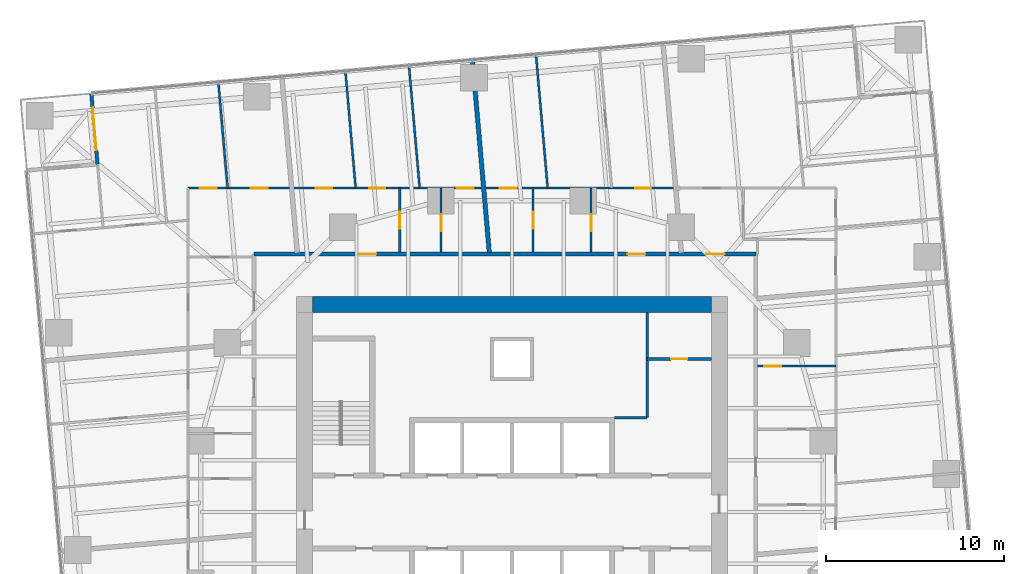
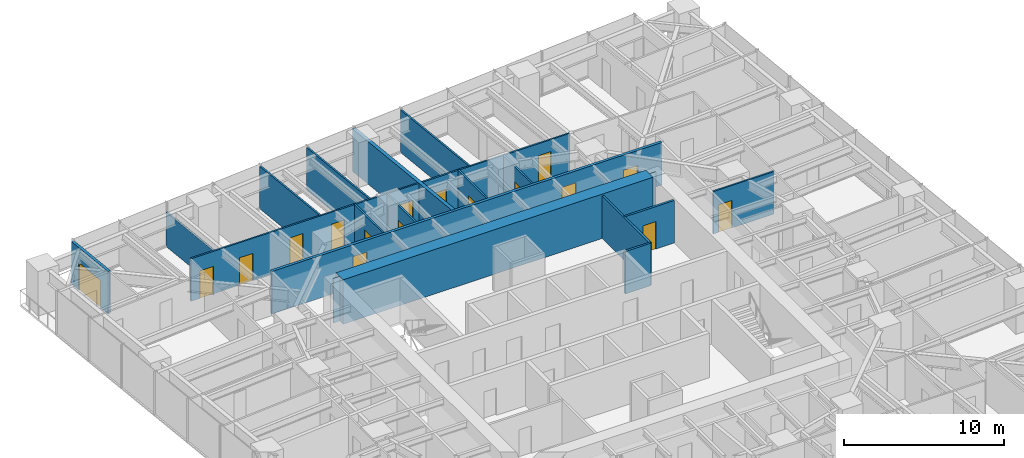
# One storey, part 12 of 14: 17 doors, 17 walls, 17 openings.
"""IFC4 building model written with IfcOpenShell, lengths in metres."""

from ifc_helpers import new_model, si_unit, direction, frame, frame_2d, origin, place, context, subcontext, project, spatial, polyline, rectangle, outline, extrude, material, layer, layer_set, type_object, element, fill, save


model = new_model("IFC4")

# Units and contexts
model_context = context("Model", 3, precision=1e-05, world=origin(), true_north=direction((0.0, 1.0)))
body_context = subcontext(model_context, "Body", "Model", "MODEL_VIEW")
ifc_project = project(units=[si_unit("LENGTHUNIT", "METRE"), si_unit("AREAUNIT", "SQUARE_METRE"), si_unit("VOLUMEUNIT", "CUBIC_METRE"), si_unit("PLANEANGLEUNIT", "RADIAN"), si_unit("MASSUNIT", "GRAM", prefix="KILO")], contexts=[model_context])

# Site, building, storey
site_placement = place(None, origin())
site = spatial("IfcSite", under=ifc_project, at=site_placement, CompositionType="ELEMENT")
building_placement = place(site_placement, origin())
building = spatial("IfcBuilding", under=site, at=building_placement, Name="Torsade Residences", CompositionType="ELEMENT")
storey_placement = place(building_placement, frame((0.0, 0.0, 67.60009765625)))
storey = spatial("IfcBuildingStorey", under=building, at=storey_placement, Name="L18", CompositionType="ELEMENT", Elevation=67.60009765625)

# Wall
ifc_material_1 = material(Name="Concrete 80 MPa", Category="concrete")
ifc_layer_1 = layer(ifc_material_1, 0.89990234375)
ifc_layer_set_1 = layer_set([ifc_layer_1], Name="Concrete 80 MPa")
wall_type_1 = type_object("IfcWallType", Name="CORE WALL 900", PredefinedType="SHEAR", material=ifc_layer_set_1)
wall_1_placement = place(storey_placement, frame((28.800048828125, 41.64990234375, 0.0), z_axis=(0.0, 0.0, 1.0), x_axis=(1.0, 0.0, 0.0)))
element("IfcWall", 1, at=wall_1_placement, inside=storey, type_object=wall_type_1, Name="Core wall N L18", PredefinedType="SHEAR", context=body_context, shape_type="SweptSolid", body=[
    extrude(outline(polyline([(0.0, -0.449951171875), (22.39990234375, -0.449951171875), (22.39990234375, -0.02490234375), (22.849853515625, -0.02490234375), (22.849853515625, 0.02490234375), (22.39990234375, 0.02490234375), (22.39990234375, 0.449951171875), (0.0, 0.449951171875), (0.0, 0.02490234375), (-0.449951171875, 0.02490234375), (-0.449951171875, -0.02490234375), (0.0, -0.02490234375), (0.0, -0.449951171875)])), origin(), (0.0, 0.0, 1.0), 3.39990234375),
])

# Wall, openings, doors
ifc_material_2 = material(Name="Plasterboard on steel stud", Category="steel")
ifc_layer_2 = layer(ifc_material_2, 0.199951171875)
ifc_layer_set_2 = layer_set([ifc_layer_2], Name="Plasterboard on steel stud")
wall_type_2 = type_object("IfcWallType", Name="CORRIDOR WALL 200", PredefinedType="PARTITIONING", material=ifc_layer_set_2)
wall_2_placement = place(storey_placement, frame((53.699951171875, 44.5, 0.0), z_axis=(0.0, 0.0, 1.0), x_axis=(-1.0, 0.0, 0.0)))
wall_2 = element("IfcWall", 2, at=wall_2_placement, inside=storey, type_object=wall_type_2, Name="Corridor wall L18", PredefinedType="PARTITIONING", context=body_context, shape_type="SweptSolid", body=[
    extrude(rectangle(XDim=28.199951171875, YDim=0.199951171875, at=frame_2d((14.10009765625, 0.0))), origin(), (0.0, 0.0, 1.0), 3.25),
])
opening_1_placement = place(wall_2_placement, frame((21.32080078125, 0.0, 0.0)))
opening_1 = element("IfcOpeningElement", 3, at=opening_1_placement, cuts=wall_2, Name="Opening D01", PredefinedType="OPENING", context=body_context, shape_type="SweptSolid", body=[
    extrude(rectangle(XDim=1.02001953125, YDim=2.340087890625, at=frame_2d((0.510009765625, 1.169921875))), frame((0.0, 0.10986328125, 0.0), z_axis=(0.0, -1.0, 0.0), x_axis=(1.0, 0.0, 0.0)), (0.0, 0.0, 1.0), 0.219970703125),
])
opening_2_placement = place(wall_2_placement, frame((6.201416015625, 0.0, 0.0)))
opening_2 = element("IfcOpeningElement", 4, at=opening_2_placement, cuts=wall_2, Name="Opening D01", PredefinedType="OPENING", context=body_context, shape_type="SweptSolid", body=[
    extrude(rectangle(XDim=1.02001953125, YDim=2.340087890625, at=frame_2d((0.510009765625, 1.169921875))), frame((0.0, 0.10986328125, 0.0), z_axis=(0.0, -1.0, 0.0), x_axis=(1.0, 0.0, 0.0)), (0.0, 0.0, 1.0), 0.219970703125),
])
opening_3_placement = place(wall_2_placement, frame((1.75, 0.0, 0.0)))
opening_3 = element("IfcOpeningElement", 5, at=opening_3_placement, cuts=wall_2, Name="Opening D01L", PredefinedType="OPENING", context=body_context, shape_type="SweptSolid", body=[
    extrude(rectangle(XDim=1.02001953125, YDim=2.10009765625, at=frame_2d((0.510009765625, 1.050048828125))), frame((0.0, 0.10986328125, 0.0), z_axis=(0.0, -1.0, 0.0), x_axis=(1.0, 0.0, 0.0)), (0.0, 0.0, 1.0), 0.219970703125),
])
ifc_material_3 = material(Name="Solid-core timber fire door", Category="wood")
door_type_1 = type_object("IfcDoorType", Name="APARTMENT ENTRY DOOR 1020x2100", OperationType="NOTDEFINED", PredefinedType="DOOR", material=ifc_material_3)
door_1_placement = place(opening_3_placement, origin())
door_1 = element("IfcDoor", 6, at=door_1_placement, inside=storey, type_object=door_type_1, Name="Door Residential corridor to Kitchen and dining", OperationType="SINGLE_SWING_LEFT", OverallHeight=2.10009765625, OverallWidth=1.02001953125, PredefinedType="DOOR", context=body_context, shape_type="SweptSolid", body=[
    extrude(rectangle(XDim=1.02001953125, YDim=2.10009765625, at=frame_2d((0.510009765625, 1.050048828125))), frame((0.0, 0.02490234375, 0.0), z_axis=(0.0, -1.0, 0.0), x_axis=(1.0, 0.0, 0.0)), (0.0, 0.0, 1.0), 0.050048828125),
])
fill(opening_3, door_1)
ifc_material_4 = material(Name="Solid-core timber fire door", Category="wood")
door_type_2 = type_object("IfcDoorType", Name="APARTMENT ENTRY DOOR 1020x2340", OperationType="NOTDEFINED", PredefinedType="DOOR", material=ifc_material_4)
door_2_placement = place(opening_1_placement, origin())
door_2 = element("IfcDoor", 7, at=door_2_placement, inside=storey, type_object=door_type_2, Name="Door Residential corridor to Kitchen and dining", OperationType="SINGLE_SWING_LEFT", OverallHeight=2.340087890625, OverallWidth=1.02001953125, PredefinedType="DOOR", context=body_context, shape_type="SweptSolid", body=[
    extrude(rectangle(XDim=1.02001953125, YDim=2.340087890625, at=frame_2d((0.510009765625, 1.169921875))), frame((0.0, 0.02490234375, 0.0), z_axis=(0.0, -1.0, 0.0), x_axis=(1.0, 0.0, 0.0)), (0.0, 0.0, 1.0), 0.050048828125),
])
fill(opening_1, door_2)
door_3_placement = place(opening_2_placement, origin())
door_3 = element("IfcDoor", 8, at=door_3_placement, inside=storey, type_object=door_type_2, Name="Door Residential corridor to Kitchen and dining", OperationType="SINGLE_SWING_LEFT", OverallHeight=2.340087890625, OverallWidth=1.02001953125, PredefinedType="DOOR", context=body_context, shape_type="SweptSolid", body=[
    extrude(rectangle(XDim=1.02001953125, YDim=2.340087890625, at=frame_2d((0.510009765625, 1.169921875))), frame((0.0, 0.02490234375, 0.0), z_axis=(0.0, -1.0, 0.0), x_axis=(1.0, 0.0, 0.0)), (0.0, 0.0, 1.0), 0.050048828125),
])
fill(opening_2, door_3)

# Wall, opening, door
ifc_material_5 = material(Name="Plasterboard on steel stud", Category="steel")
ifc_layer_3 = layer(ifc_material_5, 0.1201171875)
ifc_layer_set_3 = layer_set([ifc_layer_3], Name="Plasterboard on steel stud")
wall_type_3 = type_object("IfcWallType", Name="PARTITION 120", PredefinedType="PARTITIONING", material=ifc_layer_set_3)
wall_3_placement = place(storey_placement, frame((58.199951171875, 38.19970703125, 0.0), z_axis=(0.0, 0.0, 1.0), x_axis=(-1.0, 0.0, 0.0)))
wall_3 = element("IfcWall", 9, at=wall_3_placement, inside=storey, type_object=wall_type_3, Name="Partition L18", PredefinedType="PARTITIONING", context=body_context, shape_type="SweptSolid", body=[
    extrude(rectangle(XDim=4.39990234375, YDim=0.1201171875, at=frame_2d((2.199951171875, 0.0))), origin(), (0.0, 0.0, 1.0), 3.25),
])
opening_4_placement = place(wall_3_placement, frame((3.070068359375, 0.0, 0.0)))
opening_4 = element("IfcOpeningElement", 10, at=opening_4_placement, cuts=wall_3, Name="Opening D05", PredefinedType="OPENING", context=body_context, shape_type="SweptSolid", body=[
    extrude(rectangle(XDim=0.9599609375, YDim=2.10009765625, at=frame_2d((0.47998046875, 1.050048828125))), frame((0.0, 0.070068359375, 0.0), z_axis=(0.0, -1.0, 0.0), x_axis=(1.0, 0.0, 0.0)), (0.0, 0.0, 1.0), 0.14013671875),
])
ifc_material_6 = material(Name="Hollow-core timber door in a steel cavity frame", Category="steel")
door_type_3 = type_object("IfcDoorType", Name="BATHROOM CAVITY SLIDING DOOR 960", OperationType="SLIDING_TO_LEFT", PredefinedType="DOOR", material=ifc_material_6)
door_4_placement = place(opening_4_placement, origin())
door_4 = element("IfcDoor", 11, at=door_4_placement, inside=storey, type_object=door_type_3, Name="Door Ensuite to Bathroom", OperationType="SLIDING_TO_LEFT", OverallHeight=2.10009765625, OverallWidth=0.9599609375, PredefinedType="DOOR", context=body_context, shape_type="SweptSolid", body=[
    extrude(rectangle(XDim=0.9599609375, YDim=2.10009765625, at=frame_2d((0.47998046875, 1.050048828125))), frame((0.0, 0.02490234375, 0.0), z_axis=(0.0, -1.0, 0.0), x_axis=(1.0, 0.0, 0.0)), (0.0, 0.0, 1.0), 0.050048828125),
])
fill(opening_4, door_4)

wall_4_placement = place(storey_placement, frame((44.44482421875, 44.60009765625, 0.0), z_axis=(0.0, 0.0, 1.0), x_axis=(0.0, 1.0, 0.0)))
wall_4 = element("IfcWall", 12, at=wall_4_placement, inside=storey, type_object=wall_type_3, Name="Partition L18", PredefinedType="PARTITIONING", context=body_context, shape_type="SweptSolid", body=[
    extrude(rectangle(XDim=3.599853515625, YDim=0.1201171875, at=frame_2d((1.7998046875, 0.0))), origin(), (0.0, 0.0, 1.0), 3.25),
])
opening_5_placement = place(wall_4_placement, frame((1.169921875, 0.0, 0.0)))
opening_5 = element("IfcOpeningElement", 13, at=opening_5_placement, cuts=wall_4, Name="Opening D05", PredefinedType="OPENING", context=body_context, shape_type="SweptSolid", body=[
    extrude(rectangle(XDim=0.9599609375, YDim=2.10009765625, at=frame_2d((0.47998046875, 1.050048828125))), frame((0.0, 0.070068359375, 0.0), z_axis=(0.0, -1.0, 0.0), x_axis=(1.0, 0.0, 0.0)), (0.0, 0.0, 1.0), 0.14013671875),
])
door_5_placement = place(opening_5_placement, origin())
door_5 = element("IfcDoor", 14, at=door_5_placement, inside=storey, type_object=door_type_3, Name="Door Kitchen and dining to Bathroom", OperationType="SLIDING_TO_LEFT", OverallHeight=2.10009765625, OverallWidth=0.9599609375, PredefinedType="DOOR", context=body_context, shape_type="SweptSolid", body=[
    extrude(rectangle(XDim=0.9599609375, YDim=2.10009765625, at=frame_2d((0.47998046875, 1.050048828125))), frame((0.0, 0.02490234375, 0.0), z_axis=(0.0, -1.0, 0.0), x_axis=(1.0, 0.0, 0.0)), (0.0, 0.0, 1.0), 0.050048828125),
])
fill(opening_5, door_5)

# Wall, openings, doors
wall_5_placement = place(storey_placement, frame((21.800048828125, 48.199951171875, 0.0), z_axis=(0.0, 0.0, 1.0), x_axis=(1.0, 0.0, 0.0)))
wall_5 = element("IfcWall", 15, at=wall_5_placement, inside=storey, type_object=wall_type_3, Name="Partition L18", PredefinedType="PARTITIONING", context=body_context, shape_type="SweptSolid", body=[
    extrude(rectangle(XDim=27.398681640625, YDim=0.1201171875, at=frame_2d((13.69921875, 0.0))), origin(), (0.0, 0.0, 1.0), 3.25),
])
opening_6_placement = place(wall_5_placement, frame((7.18017578125, 0.0, 0.0)))
opening_6 = element("IfcOpeningElement", 16, at=opening_6_placement, cuts=wall_5, Name="Opening D02", PredefinedType="OPENING", context=body_context, shape_type="SweptSolid", body=[
    extrude(rectangle(XDim=0.919921875, YDim=2.340087890625, at=frame_2d((0.4599609375, 1.169921875))), frame((0.0, 0.070068359375, 0.0), z_axis=(0.0, -1.0, 0.0), x_axis=(1.0, 0.0, 0.0)), (0.0, 0.0, 1.0), 0.14013671875),
])
opening_7_placement = place(wall_5_placement, frame((10.166748046875, 0.0, 0.0)))
opening_7 = element("IfcOpeningElement", 17, at=opening_7_placement, cuts=wall_5, Name="Opening D02", PredefinedType="OPENING", context=body_context, shape_type="SweptSolid", body=[
    extrude(rectangle(XDim=0.919921875, YDim=2.340087890625, at=frame_2d((0.4599609375, 1.169921875))), frame((0.0, 0.070068359375, 0.0), z_axis=(0.0, -1.0, 0.0), x_axis=(1.0, 0.0, 0.0)), (0.0, 0.0, 1.0), 0.14013671875),
])
opening_8_placement = place(wall_5_placement, frame((25.114990234375, 0.0, 0.0)))
opening_8 = element("IfcOpeningElement", 18, at=opening_8_placement, cuts=wall_5, Name="Opening D02", PredefinedType="OPENING", context=body_context, shape_type="SweptSolid", body=[
    extrude(rectangle(XDim=0.919921875, YDim=2.340087890625, at=frame_2d((0.4599609375, 1.169921875))), frame((0.0, 0.070068359375, 0.0), z_axis=(0.0, -1.0, 0.0), x_axis=(1.0, 0.0, 0.0)), (0.0, 0.0, 1.0), 0.14013671875),
])
opening_9_placement = place(wall_5_placement, frame((3.512939453125, 0.0, 0.0)))
opening_9 = element("IfcOpeningElement", 19, at=opening_9_placement, cuts=wall_5, Name="Opening D05", PredefinedType="OPENING", context=body_context, shape_type="SweptSolid", body=[
    extrude(rectangle(XDim=0.9599609375, YDim=2.10009765625, at=frame_2d((0.47998046875, 1.050048828125))), frame((0.0, 0.070068359375, 0.0), z_axis=(0.0, -1.0, 0.0), x_axis=(1.0, 0.0, 0.0)), (0.0, 0.0, 1.0), 0.14013671875),
])
opening_10_placement = place(wall_5_placement, frame((0.65478515625, 0.0, 0.0)))
opening_10 = element("IfcOpeningElement", 20, at=opening_10_placement, cuts=wall_5, Name="Opening D05", PredefinedType="OPENING", context=body_context, shape_type="SweptSolid", body=[
    extrude(rectangle(XDim=0.9599609375, YDim=2.10009765625, at=frame_2d((0.47998046875, 1.050048828125))), frame((0.0, 0.070068359375, 0.0), z_axis=(0.0, -1.0, 0.0), x_axis=(1.0, 0.0, 0.0)), (0.0, 0.0, 1.0), 0.14013671875),
])
opening_11_placement = place(wall_5_placement, frame((15.08349609375, 0.0, 0.0)))
opening_11 = element("IfcOpeningElement", 21, at=opening_11_placement, cuts=wall_5, Name="Opening D05", PredefinedType="OPENING", context=body_context, shape_type="SweptSolid", body=[
    extrude(rectangle(XDim=0.9599609375, YDim=2.10009765625, at=frame_2d((0.47998046875, 1.050048828125))), frame((0.0, 0.070068359375, 0.0), z_axis=(0.0, -1.0, 0.0), x_axis=(1.0, 0.0, 0.0)), (0.0, 0.0, 1.0), 0.14013671875),
])
opening_12_placement = place(wall_5_placement, frame((17.515869140625, 0.0, 0.0)))
opening_12 = element("IfcOpeningElement", 22, at=opening_12_placement, cuts=wall_5, Name="Opening D05", PredefinedType="OPENING", context=body_context, shape_type="SweptSolid", body=[
    extrude(rectangle(XDim=0.9599609375, YDim=2.10009765625, at=frame_2d((0.47998046875, 1.050048828125))), frame((0.0, 0.070068359375, 0.0), z_axis=(0.0, -1.0, 0.0), x_axis=(1.0, 0.0, 0.0)), (0.0, 0.0, 1.0), 0.14013671875),
])
door_6_placement = place(opening_9_placement, origin())
door_6 = element("IfcDoor", 23, at=door_6_placement, inside=storey, type_object=door_type_3, Name="Door Bathroom to Study", OperationType="SLIDING_TO_LEFT", OverallHeight=2.10009765625, OverallWidth=0.9599609375, PredefinedType="DOOR", context=body_context, shape_type="SweptSolid", body=[
    extrude(rectangle(XDim=0.9599609375, YDim=2.10009765625, at=frame_2d((0.47998046875, 1.050048828125))), frame((0.0, 0.02490234375, 0.0), z_axis=(0.0, -1.0, 0.0), x_axis=(1.0, 0.0, 0.0)), (0.0, 0.0, 1.0), 0.050048828125),
])
fill(opening_9, door_6)
door_7_placement = place(opening_10_placement, origin())
door_7 = element("IfcDoor", 24, at=door_7_placement, inside=storey, type_object=door_type_3, Name="Door Bathroom to Bedroom 2", OperationType="SLIDING_TO_LEFT", OverallHeight=2.10009765625, OverallWidth=0.9599609375, PredefinedType="DOOR", context=body_context, shape_type="SweptSolid", body=[
    extrude(rectangle(XDim=0.9599609375, YDim=2.10009765625, at=frame_2d((0.47998046875, 1.050048828125))), frame((0.0, 0.02490234375, 0.0), z_axis=(0.0, -1.0, 0.0), x_axis=(1.0, 0.0, 0.0)), (0.0, 0.0, 1.0), 0.050048828125),
])
fill(opening_10, door_7)
door_8_placement = place(opening_11_placement, origin())
door_8 = element("IfcDoor", 25, at=door_8_placement, inside=storey, type_object=door_type_3, Name="Door Bathroom to Living room", OperationType="SLIDING_TO_LEFT", OverallHeight=2.10009765625, OverallWidth=0.9599609375, PredefinedType="DOOR", context=body_context, shape_type="SweptSolid", body=[
    extrude(rectangle(XDim=0.9599609375, YDim=2.10009765625, at=frame_2d((0.47998046875, 1.050048828125))), frame((0.0, 0.02490234375, 0.0), z_axis=(0.0, -1.0, 0.0), x_axis=(1.0, 0.0, 0.0)), (0.0, 0.0, 1.0), 0.050048828125),
])
fill(opening_11, door_8)
door_9_placement = place(opening_12_placement, origin())
door_9 = element("IfcDoor", 26, at=door_9_placement, inside=storey, type_object=door_type_3, Name="Door Ensuite to Bedroom 2", OperationType="SLIDING_TO_LEFT", OverallHeight=2.10009765625, OverallWidth=0.9599609375, PredefinedType="DOOR", context=body_context, shape_type="SweptSolid", body=[
    extrude(rectangle(XDim=0.9599609375, YDim=2.10009765625, at=frame_2d((0.47998046875, 1.050048828125))), frame((0.0, 0.02490234375, 0.0), z_axis=(0.0, -1.0, 0.0), x_axis=(1.0, 0.0, 0.0)), (0.0, 0.0, 1.0), 0.050048828125),
])
fill(opening_12, door_9)
ifc_material_7 = material(Name="Hollow-core timber door", Category="wood")
door_type_4 = type_object("IfcDoorType", Name="INTERNAL DOOR 920x2340", OperationType="NOTDEFINED", PredefinedType="DOOR", material=ifc_material_7)
door_10_placement = place(opening_6_placement, origin())
door_10 = element("IfcDoor", 27, at=door_10_placement, inside=storey, type_object=door_type_4, Name="Door Kitchen and dining to Bedroom 2", OperationType="SINGLE_SWING_LEFT", OverallHeight=2.340087890625, OverallWidth=0.919921875, PredefinedType="DOOR", context=body_context, shape_type="SweptSolid", body=[
    extrude(rectangle(XDim=0.919921875, YDim=2.340087890625, at=frame_2d((0.4599609375, 1.169921875))), frame((0.0, 0.02490234375, 0.0), z_axis=(0.0, -1.0, 0.0), x_axis=(1.0, 0.0, 0.0)), (0.0, 0.0, 1.0), 0.050048828125),
])
fill(opening_6, door_10)
door_11_placement = place(opening_7_placement, origin())
door_11 = element("IfcDoor", 28, at=door_11_placement, inside=storey, type_object=door_type_4, Name="Door Kitchen and dining to Bedroom 1", OperationType="SINGLE_SWING_LEFT", OverallHeight=2.340087890625, OverallWidth=0.919921875, PredefinedType="DOOR", context=body_context, shape_type="SweptSolid", body=[
    extrude(rectangle(XDim=0.919921875, YDim=2.340087890625, at=frame_2d((0.4599609375, 1.169921875))), frame((0.0, 0.02490234375, 0.0), z_axis=(0.0, -1.0, 0.0), x_axis=(1.0, 0.0, 0.0)), (0.0, 0.0, 1.0), 0.050048828125),
])
fill(opening_7, door_11)
door_12_placement = place(opening_8_placement, origin())
door_12 = element("IfcDoor", 29, at=door_12_placement, inside=storey, type_object=door_type_4, Name="Door Kitchen and dining to Living room", OperationType="SINGLE_SWING_RIGHT", OverallHeight=2.340087890625, OverallWidth=0.919921875, PredefinedType="DOOR", context=body_context, shape_type="SweptSolid", body=[
    extrude(rectangle(XDim=0.919921875, YDim=2.340087890625, at=frame_2d((0.4599609375, 1.169921875))), frame((0.0, 0.02490234375, 0.0), z_axis=(0.0, -1.0, 0.0), x_axis=(1.0, 0.0, 0.0)), (0.0, 0.0, 1.0), 0.050048828125),
])
fill(opening_8, door_12)

# Wall, opening, door
wall_6_placement = place(storey_placement, frame((41.183837890625, 44.60009765625, 0.0), z_axis=(0.0, 0.0, 1.0), x_axis=(0.0, 1.0, 0.0)))
wall_6 = element("IfcWall", 30, at=wall_6_placement, inside=storey, type_object=wall_type_3, Name="Partition L18", PredefinedType="PARTITIONING", context=body_context, shape_type="SweptSolid", body=[
    extrude(rectangle(XDim=3.599853515625, YDim=0.1201171875, at=frame_2d((1.7998046875, 0.0))), origin(), (0.0, 0.0, 1.0), 3.25),
])
opening_13_placement = place(wall_6_placement, frame((1.320068359375, 0.0, 0.0)))
opening_13 = element("IfcOpeningElement", 31, at=opening_13_placement, cuts=wall_6, Name="Opening D05", PredefinedType="OPENING", context=body_context, shape_type="SweptSolid", body=[
    extrude(rectangle(XDim=0.9599609375, YDim=2.10009765625, at=frame_2d((0.47998046875, 1.050048828125))), frame((0.0, 0.070068359375, 0.0), z_axis=(0.0, -1.0, 0.0), x_axis=(1.0, 0.0, 0.0)), (0.0, 0.0, 1.0), 0.14013671875),
])
door_13_placement = place(opening_13_placement, origin())
door_13 = element("IfcDoor", 32, at=door_13_placement, inside=storey, type_object=door_type_3, Name="Door Bathroom to Ensuite", OperationType="SLIDING_TO_LEFT", OverallHeight=2.10009765625, OverallWidth=0.9599609375, PredefinedType="DOOR", context=body_context, shape_type="SweptSolid", body=[
    extrude(rectangle(XDim=0.9599609375, YDim=2.10009765625, at=frame_2d((0.47998046875, 1.050048828125))), frame((0.0, 0.02490234375, 0.0), z_axis=(0.0, -1.0, 0.0), x_axis=(1.0, 0.0, 0.0)), (0.0, 0.0, 1.0), 0.050048828125),
])
fill(opening_13, door_13)

# Wall
wall_7_placement = place(storey_placement, frame((42.004638671875, 48.199951171875, 0.0), z_axis=(0.0, 0.0, 1.0), x_axis=(-0.08715887855, 0.99619442374, 0.0)))
element("IfcWall", 33, at=wall_7_placement, inside=storey, type_object=wall_type_3, Name="Partition L18", PredefinedType="PARTITIONING", context=body_context, shape_type="SweptSolid", body=[
    extrude(rectangle(XDim=7.504150390625, YDim=0.1201171875, at=frame_2d((3.751953125, 0.0))), origin(), (0.0, 0.0, 1.0), 3.25),
])

# Wall, opening, door
wall_8_placement = place(storey_placement, frame((33.68994140625, 48.199951171875, 0.0), z_axis=(0.0, 0.0, 1.0), x_axis=(0.0, -1.0, 0.0)))
wall_8 = element("IfcWall", 34, at=wall_8_placement, inside=storey, type_object=wall_type_3, Name="Partition L18", PredefinedType="PARTITIONING", context=body_context, shape_type="SweptSolid", body=[
    extrude(rectangle(XDim=3.599853515625, YDim=0.1201171875, at=frame_2d((1.7998046875, 0.0))), origin(), (0.0, 0.0, 1.0), 3.25),
])
opening_14_placement = place(wall_8_placement, frame((1.320068359375, 0.0, 0.0)))
opening_14 = element("IfcOpeningElement", 35, at=opening_14_placement, cuts=wall_8, Name="Opening D05", PredefinedType="OPENING", context=body_context, shape_type="SweptSolid", body=[
    extrude(rectangle(XDim=0.9599609375, YDim=2.10009765625, at=frame_2d((0.47998046875, 1.050048828125))), frame((0.0, 0.070068359375, 0.0), z_axis=(0.0, -1.0, 0.0), x_axis=(1.0, 0.0, 0.0)), (0.0, 0.0, 1.0), 0.14013671875),
])
door_14_placement = place(opening_14_placement, origin())
door_14 = element("IfcDoor", 36, at=door_14_placement, inside=storey, type_object=door_type_3, Name="Door Kitchen and dining to Ensuite", OperationType="SLIDING_TO_LEFT", OverallHeight=2.10009765625, OverallWidth=0.9599609375, PredefinedType="DOOR", context=body_context, shape_type="SweptSolid", body=[
    extrude(rectangle(XDim=0.9599609375, YDim=2.10009765625, at=frame_2d((0.47998046875, 1.050048828125))), frame((0.0, 0.02490234375, 0.0), z_axis=(0.0, -1.0, 0.0), x_axis=(1.0, 0.0, 0.0)), (0.0, 0.0, 1.0), 0.050048828125),
])
fill(opening_14, door_14)

wall_9_placement = place(storey_placement, frame((36.019287109375, 44.60009765625, 0.0), z_axis=(0.0, 0.0, 1.0), x_axis=(0.0, 1.0, 0.0)))
wall_9 = element("IfcWall", 37, at=wall_9_placement, inside=storey, type_object=wall_type_3, Name="Partition L18", PredefinedType="PARTITIONING", context=body_context, shape_type="SweptSolid", body=[
    extrude(rectangle(XDim=3.599853515625, YDim=0.1201171875, at=frame_2d((1.7998046875, 0.0))), origin(), (0.0, 0.0, 1.0), 3.25),
])
opening_15_placement = place(wall_9_placement, frame((1.169921875, 0.0, 0.0)))
opening_15 = element("IfcOpeningElement", 38, at=opening_15_placement, cuts=wall_9, Name="Opening D05", PredefinedType="OPENING", context=body_context, shape_type="SweptSolid", body=[
    extrude(rectangle(XDim=0.9599609375, YDim=2.10009765625, at=frame_2d((0.47998046875, 1.050048828125))), frame((0.0, 0.070068359375, 0.0), z_axis=(0.0, -1.0, 0.0), x_axis=(1.0, 0.0, 0.0)), (0.0, 0.0, 1.0), 0.14013671875),
])
door_15_placement = place(opening_15_placement, origin())
door_15 = element("IfcDoor", 39, at=door_15_placement, inside=storey, type_object=door_type_3, Name="Door Ensuite to Bathroom", OperationType="SLIDING_TO_LEFT", OverallHeight=2.10009765625, OverallWidth=0.9599609375, PredefinedType="DOOR", context=body_context, shape_type="SweptSolid", body=[
    extrude(rectangle(XDim=0.9599609375, YDim=2.10009765625, at=frame_2d((0.47998046875, 1.050048828125))), frame((0.0, 0.02490234375, 0.0), z_axis=(0.0, -1.0, 0.0), x_axis=(1.0, 0.0, 0.0)), (0.0, 0.0, 1.0), 0.050048828125),
])
fill(opening_15, door_15)

# Walls
wall_10_placement = place(storey_placement, frame((34.810791015625, 48.199951171875, 0.0), z_axis=(0.0, 0.0, 1.0), x_axis=(-0.087190290923, 0.996191674914, 0.0)))
element("IfcWall", 40, at=wall_10_placement, inside=storey, type_object=wall_type_3, Name="Partition L18", PredefinedType="PARTITIONING", context=body_context, shape_type="SweptSolid", body=[
    extrude(rectangle(XDim=6.876953125, YDim=0.1201171875, at=frame_2d((3.4384765625, 0.0))), origin(), (0.0, 0.0, 1.0), 3.25),
])
wall_11_placement = place(storey_placement, frame((31.213623046875, 48.199951171875, 0.0), z_axis=(0.0, 0.0, 1.0), x_axis=(-0.087151261897, 0.996195090105, 0.0)))
element("IfcWall", 41, at=wall_11_placement, inside=storey, type_object=wall_type_3, Name="Partition L18", PredefinedType="PARTITIONING", context=body_context, shape_type="SweptSolid", body=[
    extrude(rectangle(XDim=6.5634765625, YDim=0.1201171875, at=frame_2d((3.28173828125, 0.0))), origin(), (0.0, 0.0, 1.0), 3.25),
])
wall_12_placement = place(storey_placement, frame((23.502197265625, 54.11376953125, 0.0), z_axis=(0.0, 0.0, 1.0), x_axis=(0.087146033323, -0.996195547509, 0.0)))
element("IfcWall", 42, at=wall_12_placement, inside=storey, type_object=wall_type_3, Name="Partition L18", PredefinedType="PARTITIONING", context=body_context, shape_type="SweptSolid", body=[
    extrude(rectangle(XDim=5.9365234375, YDim=0.1201171875, at=frame_2d((2.96826171875, 0.0))), origin(), (0.0, 0.0, 1.0), 2.637939453125),
])
ifc_material_8 = material(Name="Masonry-lined stud party wall", Category="masonry")
ifc_layer_4 = layer(ifc_material_8, 0.25)
ifc_layer_set_4 = layer_set([ifc_layer_4], Name="Masonry-lined stud party wall")
wall_type_4 = type_object("IfcWallType", Name="PARTY WALL 250", PredefinedType="PARTITIONING", material=ifc_layer_set_4)
wall_13_placement = place(storey_placement, frame((37.777587890625, 55.403076171875, 0.0), z_axis=(0.0, 0.0, 1.0), x_axis=(0.087140211333, -0.996196056792, 0.0)))
element("IfcWall", 43, at=wall_13_placement, inside=storey, type_object=wall_type_4, Name="Party wall L18", PredefinedType="PARTITIONING", context=body_context, shape_type="SweptSolid", body=[
    extrude(rectangle(XDim=10.873291015625, YDim=0.25, at=frame_2d((5.4365234375, 0.0))), origin(), (0.0, 0.0, 1.0), 3.25),
])
ifc_material_9 = material(Name="Reinforced blockwork", Category="masonry")
ifc_layer_5 = layer(ifc_material_9, 0.14990234375)
ifc_layer_set_5 = layer_set([ifc_layer_5], Name="Reinforced blockwork")
wall_type_5 = type_object("IfcWallType", Name="SERVICE ROOM WALL 150", PredefinedType="SOLIDWALL", material=ifc_layer_set_5)
wall_14_placement = place(storey_placement, frame((47.60009765625, 41.199951171875, 0.0), z_axis=(0.0, 0.0, 1.0), x_axis=(0.0, -1.0, 0.0)))
element("IfcWall", 44, at=wall_14_placement, inside=storey, type_object=wall_type_5, Name="Service room wall L18", PredefinedType="SOLIDWALL", context=body_context, shape_type="SweptSolid", body=[
    extrude(rectangle(XDim=5.89990234375, YDim=0.14990234375, at=frame_2d((2.949951171875, 0.0))), origin(), (0.0, 0.0, 1.0), 3.25),
])
wall_15_placement = place(storey_placement, frame((47.60009765625, 35.300048828125, 0.0), z_axis=(0.0, 0.0, 1.0), x_axis=(-1.0, 0.0, 0.0)))
element("IfcWall", 45, at=wall_15_placement, inside=storey, type_object=wall_type_5, Name="Service room wall L18", PredefinedType="SOLIDWALL", context=body_context, shape_type="SweptSolid", body=[
    extrude(rectangle(XDim=1.85009765625, YDim=0.14990234375, at=frame_2d((0.925048828125, 0.0))), origin(), (0.0, 0.0, 1.0), 3.25),
])

# Wall, opening, door
wall_16_placement = place(storey_placement, frame((47.60009765625, 38.60009765625, 0.0), z_axis=(0.0, 0.0, 1.0), x_axis=(1.0, 0.0, 0.0)))
wall_16 = element("IfcWall", 46, at=wall_16_placement, inside=storey, type_object=wall_type_5, Name="Service room wall L18", PredefinedType="SOLIDWALL", context=body_context, shape_type="SweptSolid", body=[
    extrude(rectangle(XDim=3.599853515625, YDim=0.14990234375, at=frame_2d((1.7998046875, 0.0))), origin(), (0.0, 0.0, 1.0), 3.25),
])
opening_16_placement = place(wall_16_placement, frame((1.340087890625, 0.0, 0.0)))
opening_16 = element("IfcOpeningElement", 47, at=opening_16_placement, cuts=wall_16, Name="Opening D06", PredefinedType="OPENING", context=body_context, shape_type="SweptSolid", body=[
    extrude(rectangle(XDim=0.919921875, YDim=2.10009765625, at=frame_2d((0.4599609375, 1.050048828125))), frame((0.0, 0.0849609375, 0.0), z_axis=(0.0, -1.0, 0.0), x_axis=(1.0, 0.0, 0.0)), (0.0, 0.0, 1.0), 0.169921875),
])
ifc_material_10 = material(Name="Steel-framed fire door", Category="steel")
door_type_5 = type_object("IfcDoorType", Name="FIRE DOOR 920", OperationType="NOTDEFINED", PredefinedType="DOOR", material=ifc_material_10)
door_16_placement = place(opening_16_placement, origin())
door_16 = element("IfcDoor", 48, at=door_16_placement, inside=storey, type_object=door_type_5, Name="Door Refuse room to Recycling room", OperationType="SINGLE_SWING_LEFT", OverallHeight=2.10009765625, OverallWidth=0.919921875, PredefinedType="DOOR", context=body_context, shape_type="SweptSolid", body=[
    extrude(rectangle(XDim=0.919921875, YDim=2.10009765625, at=frame_2d((0.4599609375, 1.050048828125))), frame((0.0, 0.02490234375, 0.0), z_axis=(0.0, -1.0, 0.0), x_axis=(1.0, 0.0, 0.0)), (0.0, 0.0, 1.0), 0.050048828125),
])
fill(opening_16, door_16)

ifc_material_11 = material(Name="Stone-faced precast concrete 40 MPa panel", Category="masonry")
ifc_layer_6 = layer(ifc_material_11, 0.199951171875)
ifc_layer_set_6 = layer_set([ifc_layer_6], Name="Stone-faced precast concrete 40 MPa panel")
wall_type_6 = type_object("IfcWallType", Name="TERRACE WALL 200", PredefinedType="SOLIDWALL", material=ifc_layer_set_6)
wall_17_placement = place(storey_placement, frame((16.359375, 53.529052734375, 0.0), z_axis=(0.0, 0.0, 1.0), x_axis=(0.087161650072, -0.99619418125, 0.0)))
wall_17 = element("IfcWall", 49, at=wall_17_placement, inside=storey, type_object=wall_type_6, Name="Terrace wall L18 8", PredefinedType="SOLIDWALL", context=body_context, shape_type="SweptSolid", body=[
    extrude(rectangle(XDim=3.999755859375, YDim=0.199951171875, at=frame_2d((2.0, 0.0))), origin(), (0.0, 0.0, 1.0), 3.25),
])
opening_17_placement = place(wall_17_placement, frame((0.800048828125, 0.0, 0.0)))
opening_17 = element("IfcOpeningElement", 50, at=opening_17_placement, cuts=wall_17, Name="Opening D10A", PredefinedType="OPENING", context=body_context, shape_type="SweptSolid", body=[
    extrude(rectangle(XDim=2.39990234375, YDim=2.10009765625, at=frame_2d((1.199951171875, 1.050048828125))), frame((0.0, 0.10986328125, 0.0), z_axis=(0.0, -1.0, 0.0), x_axis=(1.0, 0.0, 0.0)), (0.0, 0.0, 1.0), 0.219970703125),
])
ifc_material_12 = material(Name="Aluminium-framed glass door", Category="aluminium")
door_type_6 = type_object("IfcDoorType", Name="TERRACE SLIDING DOOR 2400x2100", OperationType="SLIDING_TO_LEFT", PredefinedType="DOOR", material=ifc_material_12)
door_17_placement = place(opening_17_placement, origin())
door_17 = element("IfcDoor", 51, at=door_17_placement, inside=storey, type_object=door_type_6, Name="Terrace door L18 8", OperationType="SLIDING_TO_LEFT", OverallHeight=2.10009765625, OverallWidth=2.39990234375, PredefinedType="DOOR", context=body_context, shape_type="SweptSolid", body=[
    extrude(rectangle(XDim=2.39990234375, YDim=2.10009765625, at=frame_2d((1.199951171875, 1.050048828125))), frame((0.0, 0.02490234375, 0.0), z_axis=(0.0, -1.0, 0.0), x_axis=(1.0, 0.0, 0.0)), (0.0, 0.0, 1.0), 0.050048828125),
])
fill(opening_17, door_17)

save(model, "model.ifc")
